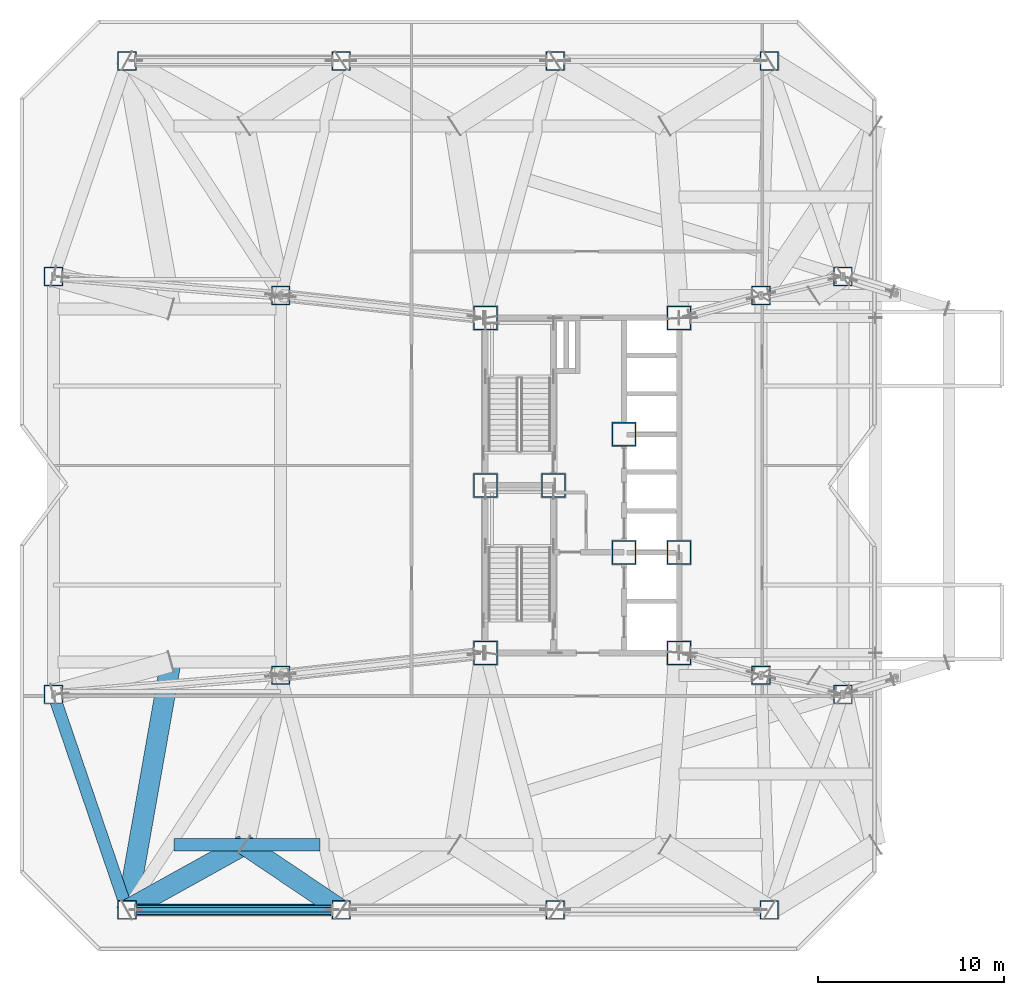
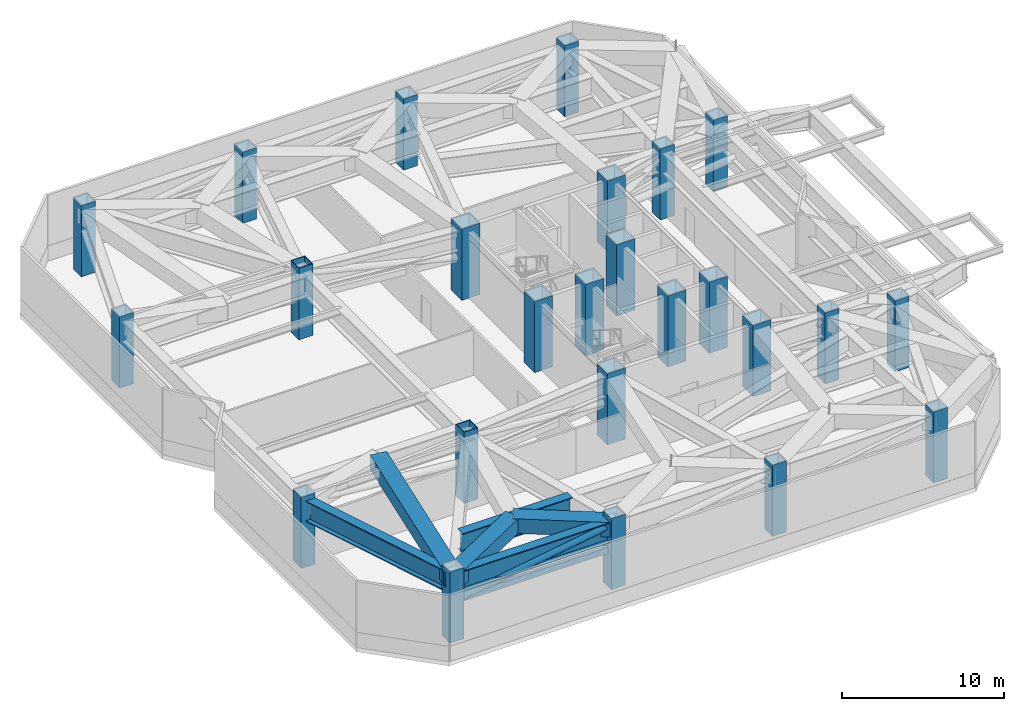
# One storey, part 1 of 18: 25 columns, 6 beams, 2 members.
"""IFC4 building model written with IfcOpenShell, lengths in metres."""

from ifc_helpers import new_model, si_unit, direction, frame, origin, origin_2d, place, context, subcontext, project, spatial, hollow_rectangle, hollow_circle, i_section, extrude, material, material_profile, profile_set, type_object, element, save


model = new_model("IFC4")

# Units and contexts
model_context = context("Model", 3, precision=1e-05, world=origin(), true_north=direction((0.0, 1.0)))
body_context = subcontext(model_context, "Body", "Model", "MODEL_VIEW")
ifc_project = project(units=[si_unit("LENGTHUNIT", "METRE"), si_unit("AREAUNIT", "SQUARE_METRE"), si_unit("VOLUMEUNIT", "CUBIC_METRE"), si_unit("PLANEANGLEUNIT", "RADIAN"), si_unit("MASSUNIT", "GRAM", prefix="KILO")], contexts=[model_context])

# Site, building, storey
site_placement = place(None, origin())
site = spatial("IfcSite", under=ifc_project, at=site_placement, CompositionType="ELEMENT")
building_placement = place(site_placement, origin())
building = spatial("IfcBuilding", under=site, at=building_placement, Name="Khamvora Tower", CompositionType="ELEMENT")
storey_placement = place(building_placement, frame((0.0, 0.0, 84.39990234375)))
storey = spatial("IfcBuildingStorey", under=building, at=storey_placement, Name="L21", CompositionType="ELEMENT", Elevation=84.39990234375)

# Columns
ifc_material_1 = material(Name="Steel S355", Category="steel")
ifc_material_profile_1 = material_profile(ifc_material_1, hollow_rectangle(XDim=1.0, YDim=1.0, WallThickness=0.050048828125, at=origin_2d()), Name="BOX1000x1000x50")
ifc_profile_set_1 = profile_set([ifc_material_profile_1], Name="Steel S355")
column_type_1 = type_object("IfcColumnType", Name="COL-BOX1000", PredefinedType="COLUMN", material=ifc_profile_set_1)
for number, where, z_axis, x_axis, name in (
    (1, (9.75, 5.199951171875, 0.0), (0.0, 0.0, 1.0), (1.0, 0.0, 0.0), "L21 structural frame column S1"),
    (2, (21.25, 5.199951171875, 0.0), (0.0, 0.0, 1.0), (1.0, 0.0, 0.0), "L21 structural frame column S2"),
    (3, (32.75, 5.199951171875, 0.0), (0.0, 0.0, 1.0), (1.0, 0.0, 0.0), "L21 structural frame column S3"),
    (4, (44.25, 5.199951171875, 0.0), (0.0, 0.0, 1.0), (1.0, 0.0, 0.0), "L21 structural frame column S4"),
    (5, (9.75, 50.800048828125, 0.0), (0.0, 0.0, 1.0), (1.0, 0.0, 0.0), "L21 structural frame column N1"),
    (6, (21.25, 50.800048828125, 0.0), (0.0, 0.0, 1.0), (1.0, 0.0, 0.0), "L21 structural frame column N2"),
    (7, (32.75, 50.800048828125, 0.0), (0.0, 0.0, 1.0), (1.0, 0.0, 0.0), "L21 structural frame column N3"),
    (8, (44.25, 50.800048828125, 0.0), (0.0, 0.0, 1.0), (1.0, 0.0, 0.0), "L21 structural frame column N4"),
    (9, (5.800048828125, 16.77490234375, 0.0), (0.0, 0.0, 1.0), (1.0, 0.0, 0.0), "L21 structural frame column W1"),
    (10, (5.800048828125, 39.22509765625, 0.0), (0.0, 0.0, 1.0), (1.0, 0.0, 0.0), "L21 structural frame column W2"),
    (11, (48.199951171875, 16.77490234375, 0.0), (0.0, 0.0, 1.0), (1.0, 0.0, 0.0), "L21 structural frame column E1"),
    (12, (48.199951171875, 39.22509765625, 0.0), (0.0, 0.0, 1.0), (1.0, 0.0, 0.0), "L21 structural frame column E2"),
):
    element("IfcColumn", number, at=place(storey_placement, frame(where, z_axis=z_axis, x_axis=x_axis)), inside=storey, type_object=column_type_1, Name=name, PredefinedType="COLUMN", context=body_context, shape_type="SweptSolid", body=[
        extrude(hollow_rectangle(XDim=1.0, YDim=1.0, WallThickness=0.050048828125, at=origin_2d()), origin(), (0.0, 0.0, 1.0), 5.375),
    ])
for number, where, z_axis, x_axis, name in (
    (13, (18.0, 17.800048828125, 0.0), (0.0, 0.0, 1.0), (1.0, 0.0, 0.0), "L21 structural frame column MW1"),
    (14, (18.0, 38.199951171875, 0.0), (0.0, 0.0, 1.0), (1.0, 0.0, 0.0), "L21 structural frame column MW2"),
):
    element("IfcColumn", number, at=place(storey_placement, frame(where, z_axis=z_axis, x_axis=x_axis)), inside=storey, type_object=column_type_1, Name=name, PredefinedType="COLUMN", context=body_context, shape_type="SweptSolid", body=[
        extrude(hollow_rectangle(XDim=1.0, YDim=1.0, WallThickness=0.050048828125, at=origin_2d()), origin(), (0.0, 0.0, 1.0), 5.400146484375),
    ])
for number, where, z_axis, x_axis, name in (
    (15, (43.800048828125, 17.800048828125, 0.0), (0.0, 0.0, 1.0), (1.0, 0.0, 0.0), "L21 structural frame column M1"),
    (16, (43.800048828125, 38.199951171875, 0.0), (0.0, 0.0, 1.0), (1.0, 0.0, 0.0), "L21 structural frame column M2"),
):
    element("IfcColumn", number, at=place(storey_placement, frame(where, z_axis=z_axis, x_axis=x_axis)), inside=storey, type_object=column_type_1, Name=name, PredefinedType="COLUMN", context=body_context, shape_type="SweptSolid", body=[
        extrude(hollow_rectangle(XDim=1.0, YDim=1.0, WallThickness=0.050048828125, at=origin_2d()), origin(), (0.0, 0.0, 1.0), 5.375),
    ])
ifc_material_2 = material(Name="Steel S460", Category="steel")
ifc_material_profile_2 = material_profile(ifc_material_2, hollow_rectangle(XDim=1.300048828125, YDim=1.300048828125, WallThickness=0.06494140625, at=origin_2d()), Name="BOX1300x1300x65")
ifc_profile_set_2 = profile_set([ifc_material_profile_2], Name="Steel S460")
column_type_2 = type_object("IfcColumnType", Name="COL-BOX1300", PredefinedType="COLUMN", material=ifc_profile_set_2)
for number, where, z_axis, x_axis, name in (
    (17, (29.0, 19.0, 0.0), (0.0, 0.0, 1.0), (1.0, 0.0, 0.0), "L21 plumb core spine column SC1"),
    (18, (32.64990234375, 28.0, 0.0), (0.0, 0.0, 1.0), (1.0, 0.0, 0.0), "L21 plumb core spine column SC2"),
    (19, (39.39990234375, 19.0, 0.0), (0.0, 0.0, 1.0), (1.0, 0.0, 0.0), "L21 plumb core spine column SC3"),
    (20, (29.0, 28.0, 0.0), (0.0, 0.0, 1.0), (1.0, 0.0, 0.0), "L21 plumb core spine column SC4"),
    (21, (36.449951171875, 24.39990234375, 0.0), (0.0, 0.0, 1.0), (1.0, 0.0, 0.0), "L21 plumb core spine column SC5"),
    (22, (39.39990234375, 24.39990234375, 0.0), (0.0, 0.0, 1.0), (1.0, 0.0, 0.0), "L21 plumb core spine column SC6"),
    (23, (29.0, 37.0, 0.0), (0.0, 0.0, 1.0), (1.0, 0.0, 0.0), "L21 plumb core spine column SC7"),
    (24, (36.449951171875, 30.75, 0.0), (0.0, 0.0, 1.0), (1.0, 0.0, 0.0), "L21 plumb core spine column SC8"),
    (25, (39.39990234375, 37.0, 0.0), (0.0, 0.0, 1.0), (1.0, 0.0, 0.0), "L21 plumb core spine column SC9"),
):
    element("IfcColumn", number, at=place(storey_placement, frame(where, z_axis=z_axis, x_axis=x_axis)), inside=storey, type_object=column_type_2, Name=name, PredefinedType="COLUMN", context=body_context, shape_type="SweptSolid", body=[
        extrude(hollow_rectangle(XDim=1.300048828125, YDim=1.300048828125, WallThickness=0.06494140625, at=origin_2d()), origin(), (0.0, 0.0, 1.0), 5.375),
    ])

# Beams
ifc_material_profile_3 = material_profile(ifc_material_2, hollow_rectangle(XDim=1.10009765625, YDim=1.10009765625, WallThickness=0.054931640625, at=origin_2d()), Name="BOX1100x1100x55")
ifc_profile_set_3 = profile_set([ifc_material_profile_3], Name="Steel S460")
beam_type_1 = type_object("IfcBeamType", Name="BM-TG-BOX1100", PredefinedType="BEAM", material=ifc_profile_set_3)
beam_1_placement = place(storey_placement, frame((21.25, 5.199951171875, 4.43017578125), z_axis=(-0.829585318844, 0.558379977039, 0.0), x_axis=(-0.558379977039, -0.829585318844, 0.0)))
element("IfcBeam", 26, at=beam_1_placement, inside=storey, type_object=beam_type_1, Name="L21 Zone Transfer Truss frame transfer link S1.1", PredefinedType="BEAM", context=body_context, shape_type="SweptSolid", body=[
    extrude(hollow_rectangle(XDim=1.10009765625, YDim=1.10009765625, WallThickness=0.054931640625, at=origin_2d()), origin(), (0.0, 0.0, 1.0), 6.26806640625),
])
beam_2_placement = place(storey_placement, frame((9.75, 5.199951171875, 4.43017578125), z_axis=(0.874158874021, 0.485640054949, 0.0), x_axis=(-0.485640054949, 0.874158874021, 0.0)))
element("IfcBeam", 27, at=beam_2_placement, inside=storey, type_object=beam_type_1, Name="L21 Zone Transfer Truss frame transfer link S1.2", PredefinedType="BEAM", context=body_context, shape_type="SweptSolid", body=[
    extrude(hollow_rectangle(XDim=1.10009765625, YDim=1.10009765625, WallThickness=0.054931640625, at=origin_2d()), origin(), (0.0, 0.0, 1.0), 7.20703125),
])
beam_3_placement = place(storey_placement, frame((9.75, 5.199951171875, 4.43017578125), z_axis=(0.173687546511, 0.984800810411, 0.0), x_axis=(-0.984800810411, 0.173687546511, 0.0)))
element("IfcBeam", 28, at=beam_3_placement, inside=storey, type_object=beam_type_1, Name="L21 Zone Transfer Truss frame transfer link W1.3", PredefinedType="BEAM", context=body_context, shape_type="SweptSolid", body=[
    extrude(hollow_rectangle(XDim=1.10009765625, YDim=1.10009765625, WallThickness=0.054931640625, at=origin_2d()), origin(), (0.0, 0.0, 1.0), 13.530517578125),
])
ifc_material_profile_4 = material_profile(ifc_material_2, i_section(OverallWidth=0.64990234375, OverallDepth=1.550048828125, WebThickness=0.0400390625, FlangeThickness=0.06494140625, at=origin_2d()), Name="PG1550x650x40x65")
ifc_profile_set_4 = profile_set([ifc_material_profile_4], Name="Steel S460")
beam_type_2 = type_object("IfcBeamType", Name="BM-TG-PG1800", PredefinedType="BEAM", material=ifc_profile_set_4)
beam_4_placement = place(storey_placement, frame((5.800048828125, 16.77490234375, 4.205078125), z_axis=(0.322962893199, -0.946411628002, 0.0), x_axis=(0.946411628002, 0.322962893199, 0.0)))
element("IfcBeam", 29, at=beam_4_placement, inside=storey, type_object=beam_type_2, Name="L21 perimeter spandrel beam W1-S1", PredefinedType="BEAM", context=body_context, shape_type="SweptSolid", body=[
    extrude(i_section(OverallWidth=0.64990234375, OverallDepth=1.550048828125, WebThickness=0.0400390625, FlangeThickness=0.06494140625, at=origin_2d()), origin(), (0.0, 0.0, 1.0), 12.23046875),
])
beam_5_placement = place(storey_placement, frame((9.75, 5.199951171875, 4.205078125), z_axis=(1.0, 0.0, 0.0), x_axis=(0.0, 1.0, 0.0)))
element("IfcBeam", 30, at=beam_5_placement, inside=storey, type_object=beam_type_2, Name="L21 perimeter spandrel beam S1-S2", PredefinedType="BEAM", context=body_context, shape_type="SweptSolid", body=[
    extrude(i_section(OverallWidth=0.64990234375, OverallDepth=1.550048828125, WebThickness=0.0400390625, FlangeThickness=0.06494140625, at=origin_2d()), origin(), (0.0, 0.0, 1.0), 11.5),
])
beam_6_placement = place(storey_placement, frame((12.281982421875, 8.699951171875, 4.205078125), z_axis=(1.0, 0.0, 0.0), x_axis=(0.0, 1.0, 0.0)))
element("IfcBeam", 31, at=beam_6_placement, inside=storey, type_object=beam_type_2, Name="L21 Zone Transfer Truss Box Girder S1", PredefinedType="BEAM", context=body_context, shape_type="SweptSolid", body=[
    extrude(i_section(OverallWidth=0.64990234375, OverallDepth=1.550048828125, WebThickness=0.0400390625, FlangeThickness=0.06494140625, at=origin_2d()), origin(), (0.0, 0.0, 1.0), 7.824951171875),
])

# Members
ifc_material_profile_5 = material_profile(ifc_material_2, hollow_circle(Radius=0.25390625, WallThickness=0.02490234375, at=origin_2d()), Name="CHS508x25")
ifc_profile_set_5 = profile_set([ifc_material_profile_5], Name="Steel S460")
member_type_1 = type_object("IfcMemberType", Name="MEM-BR-CHS508", PredefinedType="BRACE", material=ifc_profile_set_5)
member_1_placement = place(storey_placement, frame((10.22412109375, 5.199951171875, 2.837158203125), z_axis=(0.987035554797, 0.0, 0.160501755648), x_axis=(0.0, 1.0, 0.0)))
element("IfcMember", 32, at=member_1_placement, inside=storey, type_object=member_type_1, Name="L21 Perimeter Belt Truss Diagonal 1.1", PredefinedType="BRACE", context=body_context, shape_type="SweptSolid", body=[
    extrude(hollow_circle(Radius=0.25390625, WallThickness=0.02490234375, at=origin_2d()), origin(), (0.0, 0.0, 1.0), 10.6904296875),
])
ifc_material_profile_6 = material_profile(ifc_material_2, hollow_rectangle(XDim=0.25, YDim=0.449951171875, WallThickness=0.01611328125, at=origin_2d()), Name="RHS450x250x16")
ifc_profile_set_6 = profile_set([ifc_material_profile_6], Name="Steel S460")
member_type_2 = type_object("IfcMemberType", Name="MEM-CH-RHS450", PredefinedType="CHORD", material=ifc_profile_set_6)
member_2_placement = place(storey_placement, frame((10.22998046875, 5.199951171875, 2.760009765625), z_axis=(1.0, 0.0, 0.0), x_axis=(0.0, 1.0, 0.0)))
element("IfcMember", 33, at=member_2_placement, inside=storey, type_object=member_type_2, Name="L21 Perimeter Belt Truss Bottom Chord 1.1", PredefinedType="CHORD", context=body_context, shape_type="SweptSolid", body=[
    extrude(hollow_rectangle(XDim=0.25, YDim=0.449951171875, WallThickness=0.01611328125, at=origin_2d()), origin(), (0.0, 0.0, 1.0), 10.5400390625),
])

save(model, "model.ifc")
